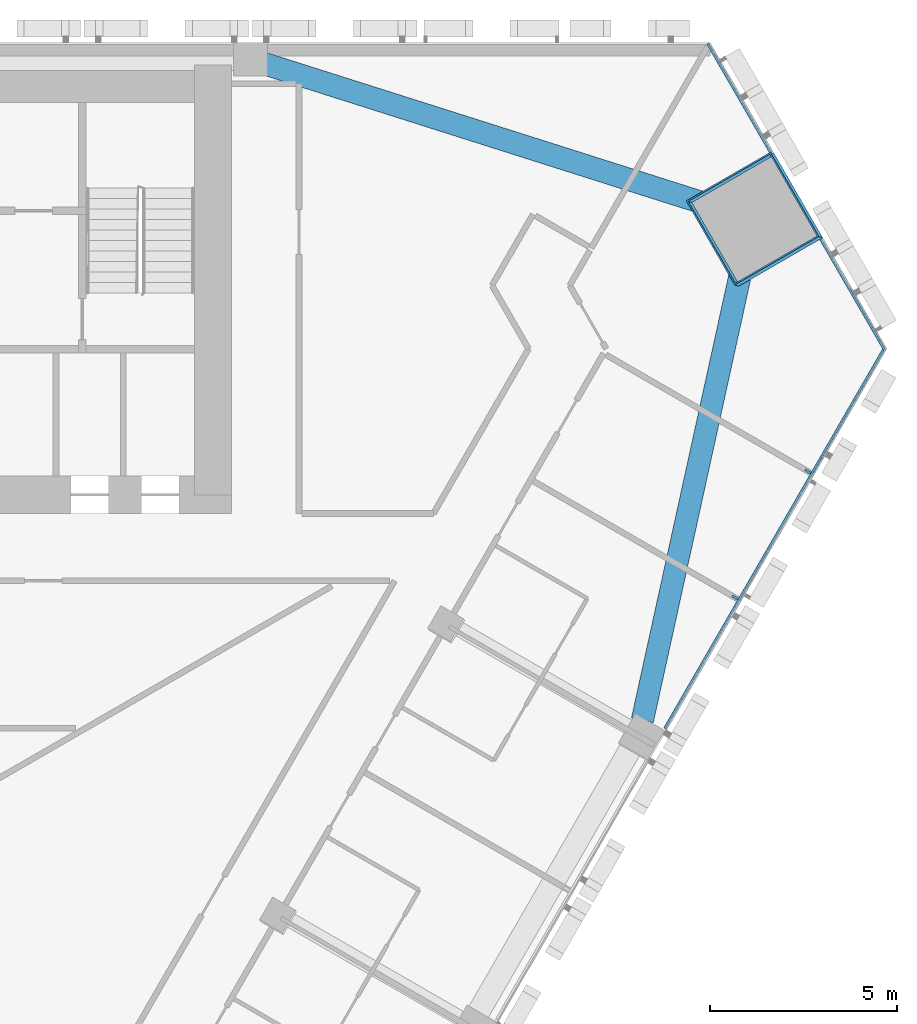
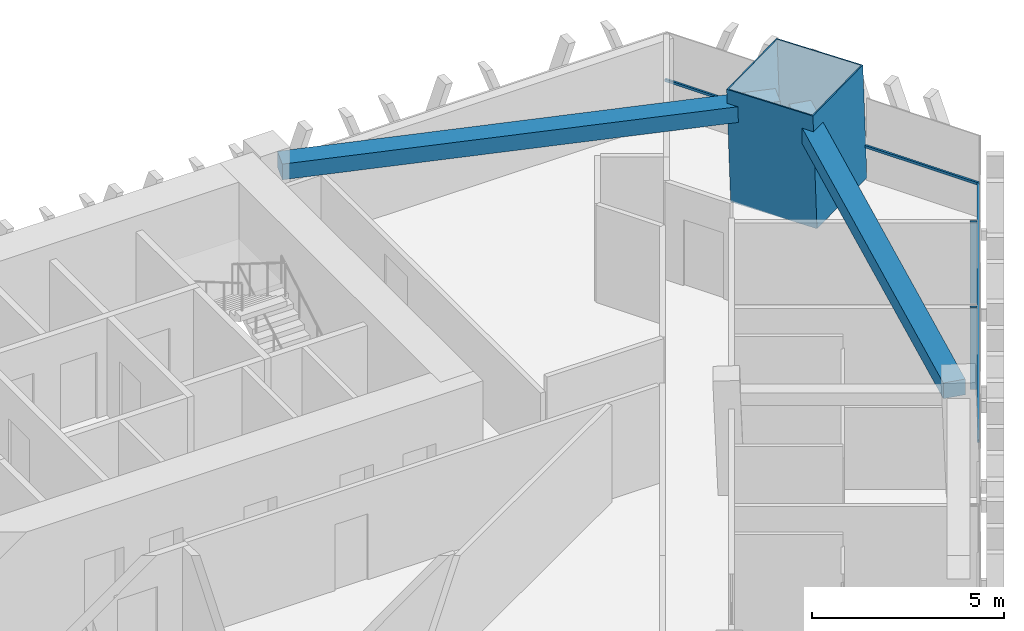
# One storey, part 7 of 17: 6 members, 2 beams, 2 elements without a shape of their own.
"""IFC4 building model written with IfcOpenShell, lengths in metres."""

from ifc_helpers import new_model, si_unit, direction, frame, origin, origin_2d, place, context, subcontext, project, spatial, rectangle, hollow_rectangle, extrude, material, layer, layer_set, material_profile, profile_set, type_object, element, aggregate, save


model = new_model("IFC4")

# Units and contexts
model_context = context("Model", 3, precision=1e-05, world=origin(), true_north=direction((0.0, 1.0)))
body_context = subcontext(model_context, "Body", "Model", "MODEL_VIEW")
ifc_project = project(units=[si_unit("LENGTHUNIT", "METRE"), si_unit("AREAUNIT", "SQUARE_METRE"), si_unit("VOLUMEUNIT", "CUBIC_METRE"), si_unit("PLANEANGLEUNIT", "RADIAN"), si_unit("MASSUNIT", "GRAM", prefix="KILO")], contexts=[model_context])

# Site, building, storey
site_placement = place(None, origin())
site = spatial("IfcSite", under=ifc_project, at=site_placement, CompositionType="ELEMENT")
building_placement = place(site_placement, origin())
building = spatial("IfcBuilding", under=site, at=building_placement, Name="Altiplano Prism Tower", CompositionType="ELEMENT")
storey_placement = place(building_placement, frame((0.0, 0.0, 52.199951171875)))
storey = spatial("IfcBuildingStorey", under=building, at=storey_placement, Name="L12", CompositionType="ELEMENT", Elevation=52.199951171875)

# Curtain wall, members
ifc_material_1 = material(Name="Aluminium and glass", Category="aluminium")
ifc_layer = layer(ifc_material_1, 0.280029296875)
ifc_layer_set = layer_set([ifc_layer], Name="Aluminium and glass")
curtain_wall_type = type_object("IfcCurtainWallType", Name="CW1 typical co-living unitised curtain wall", PredefinedType="NOTDEFINED", material=ifc_layer_set)
curtain_wall_1_placement = place(storey_placement, origin())
curtain_wall_1 = element("IfcCurtainWall", 1, at=curtain_wall_1_placement, inside=storey, type_object=curtain_wall_type, Name="CW1 curtain wall south-east face L12", PredefinedType="NOTDEFINED")
ifc_material_2 = material(Name="Aluminium", Category="aluminium")
ifc_material_profile_1 = material_profile(ifc_material_2, rectangle(XDim=0.179931640625, YDim=0.06494140625, at=origin_2d()), Name="CW1 mullion 65 x 180")
ifc_profile_set_1 = profile_set([ifc_material_profile_1], Name="Aluminium")
member_type_1 = type_object("IfcMemberType", Name="CW1 mullion 65 x 180", PredefinedType="MULLION", material=ifc_profile_set_1)
member_1_placement = place(storey_placement, frame((111.462158203125, 90.1533203125, 0.0), z_axis=(0.0, 0.0, 1.0), x_axis=(-0.866025409151, 0.499999990704, 0.0)))
member_1 = element("IfcMember", 2, at=member_1_placement, type_object=member_type_1, Name="CW1 mullion", PredefinedType="MULLION", context=body_context, shape_type="SweptSolid", body=[
    extrude(rectangle(XDim=0.179931640625, YDim=0.06494140625, at=origin_2d()), origin(), (0.0, 0.0, 1.0), 2.60009765625),
])
member_2_placement = place(storey_placement, frame((113.41015625, 93.52734375, 0.0), z_axis=(0.0, 0.0, 1.0), x_axis=(-0.866025409151, 0.499999990704, 0.0)))
member_2 = element("IfcMember", 3, at=member_2_placement, type_object=member_type_1, Name="CW1 mullion", PredefinedType="MULLION", context=body_context, shape_type="SweptSolid", body=[
    extrude(rectangle(XDim=0.179931640625, YDim=0.06494140625, at=origin_2d()), origin(), (0.0, 0.0, 1.0), 2.60009765625),
])
ifc_material_profile_2 = material_profile(ifc_material_2, rectangle(XDim=0.06005859375, YDim=0.080078125, at=origin_2d()), Name="CW1 transom 80 x 60")
ifc_profile_set_2 = profile_set([ifc_material_profile_2], Name="Aluminium")
member_type_2 = type_object("IfcMemberType", Name="CW1 transom 80 x 60", PredefinedType="USERDEFINED", material=ifc_profile_set_2)
member_3_placement = place(storey_placement, frame((109.580810546875, 86.65478515625, 1.10009765625), z_axis=(0.499994354868, 0.866028662979, 0.0), x_axis=(-0.866028662979, 0.499994354868, 0.0)))
member_3 = element("IfcMember", 4, at=member_3_placement, type_object=member_type_2, Name="CW1 transom", ObjectType="TRANSOM", PredefinedType="USERDEFINED", context=body_context, shape_type="SweptSolid", body=[
    extrude(rectangle(XDim=0.06005859375, YDim=0.080078125, at=origin_2d()), origin(), (0.0, 0.0, 1.0), 11.762451171875),
])
aggregate(curtain_wall_1, [member_1, member_2, member_3])

curtain_wall_2_placement = place(storey_placement, origin())
curtain_wall_2 = element("IfcCurtainWall", 5, at=curtain_wall_2_placement, inside=storey, type_object=curtain_wall_type, Name="CW1 curtain wall north-east chamfer L12", PredefinedType="NOTDEFINED")
member_4_placement = place(storey_placement, frame((115.4619140625, 96.771240234375, 1.10009765625), z_axis=(-0.49998117181, 0.866036273972, 0.0), x_axis=(-0.866036273972, -0.49998117181, 0.0)))
member_4 = element("IfcMember", 6, at=member_4_placement, type_object=member_type_2, Name="CW1 transom", ObjectType="TRANSOM", PredefinedType="USERDEFINED", context=body_context, shape_type="SweptSolid", body=[
    extrude(rectangle(XDim=0.06005859375, YDim=0.080078125, at=origin_2d()), origin(), (0.0, 0.0, 1.0), 3.430908203125),
])
member_5_placement = place(storey_placement, frame((112.40673828125, 102.063232421875, 1.10009765625), z_axis=(-0.499978944582, 0.866037559794, 0.0), x_axis=(-0.866037559794, -0.499978944582, 0.0)))
member_5 = element("IfcMember", 7, at=member_5_placement, type_object=member_type_2, Name="CW1 transom", ObjectType="TRANSOM", PredefinedType="USERDEFINED", context=body_context, shape_type="SweptSolid", body=[
    extrude(rectangle(XDim=0.06005859375, YDim=0.080078125, at=origin_2d()), origin(), (0.0, 0.0, 1.0), 3.350830078125),
])
aggregate(curtain_wall_2, [member_4, member_5])

# Beams
ifc_material_3 = material(Name="Concrete C60/75", Category="concrete")
ifc_material_profile_3 = material_profile(ifc_material_3, rectangle(XDim=0.60009765625, YDim=0.5, at=origin_2d()), Name="Edge beam 600x500")
ifc_profile_set_3 = profile_set([ifc_material_profile_3], Name="Concrete C60/75")
beam_type = type_object("IfcBeamType", Name="Edge beam 600x500", PredefinedType="SPANDREL", material=ifc_profile_set_3)
for number, where, z_axis, x_axis, name in (
    (8, (108.982421875, 86.86865234375, 2.85009765625), (0.214511612207, 0.976721438399, 0.0), (-0.976721438399, 0.214511612207, 0.0), "Edge beam P24-M2 L13"),
    (9, (111.500244140625, 100.422607421875, 2.85009765625), (-0.953118631641, 0.302596883689, 0.0), (-0.302596883689, -0.953118631641, 0.0), "Edge beam M2-P01 L13"),
):
    element("IfcBeam", number, at=place(storey_placement, frame(where, z_axis=z_axis, x_axis=x_axis)), inside=storey, type_object=beam_type, Name=name, PredefinedType="SPANDREL", context=body_context, shape_type="SweptSolid", body=[
        extrude(rectangle(XDim=0.60009765625, YDim=0.5, at=origin_2d()), origin(), (0.0, 0.0, 1.0), 13.28759765625),
    ])

# Member
ifc_material_4 = material(Name="Steel S460", Category="steel")
ifc_material_profile_4 = material_profile(ifc_material_4, hollow_rectangle(XDim=2.60009765625, YDim=2.60009765625, WallThickness=0.0400390625, at=origin_2d()), Name="Mega column tube 2600")
ifc_profile_set_4 = profile_set([ifc_material_profile_4], Name="Steel S460")
member_type_3 = type_object("IfcMemberType", Name="Mega column tube 2600", PredefinedType="POST", material=ifc_profile_set_4)
member_6_placement = place(storey_placement, frame((112.031494140625, 100.253173828125, 0.0), z_axis=(-0.028401796786, 0.009286506348, 0.999553449666), x_axis=(0.49888889343, -0.8663809353, 0.02222491757)))
element("IfcMember", 10, at=member_6_placement, inside=storey, type_object=member_type_3, Name="Mega column tube M2 L12", PredefinedType="POST", context=body_context, shape_type="SweptSolid", body=[
    extrude(hollow_rectangle(XDim=2.60009765625, YDim=2.60009765625, WallThickness=0.0400390625, at=origin_2d()), origin(), (0.0, 0.0, 1.0), 3.601806640625),
])

save(model, "model.ifc")
